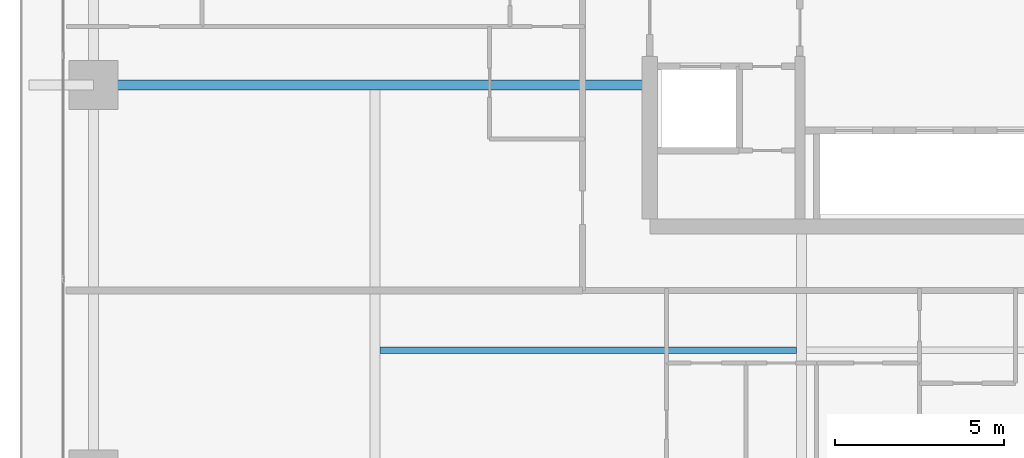
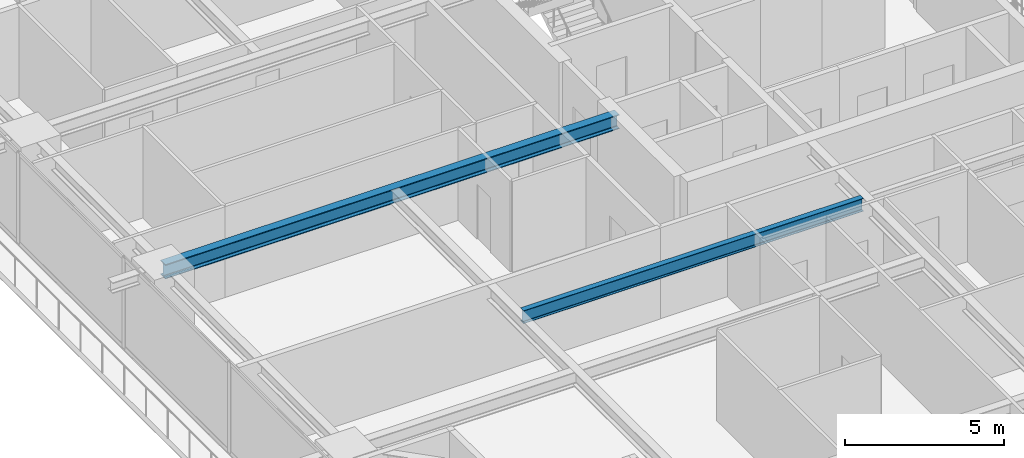
# One storey, part 8 of 39: 2 beams.
"""IFC4 building model written with IfcOpenShell, lengths in metres."""

from ifc_helpers import new_model, si_unit, direction, frame, origin, origin_2d, place, context, subcontext, project, spatial, i_section, extrude, source, transform, mapped, material, material_profile, profile_set, type_object, element, save


model = new_model("IFC4")

# Units and contexts
model_context = context("Model", 3, precision=1e-05, world=origin(), true_north=direction((0.0, 1.0)))
body_context = subcontext(model_context, "Body", "Model", "MODEL_VIEW")
ifc_project = project(units=[si_unit("LENGTHUNIT", "METRE"), si_unit("AREAUNIT", "SQUARE_METRE"), si_unit("VOLUMEUNIT", "CUBIC_METRE"), si_unit("PLANEANGLEUNIT", "RADIAN"), si_unit("MASSUNIT", "GRAM", prefix="KILO")], contexts=[model_context])

# Site, building, storey
site_placement = place(None, origin())
site = spatial("IfcSite", under=ifc_project, at=site_placement, CompositionType="ELEMENT")
building_placement = place(site_placement, origin())
building = spatial("IfcBuilding", under=site, at=building_placement, Name="Serunith Strait Residences", CompositionType="ELEMENT")
storey_placement = place(building_placement, frame((0.0, 0.0, 94.199951171875)))
storey = spatial("IfcBuildingStorey", under=building, at=storey_placement, Name="L23", CompositionType="ELEMENT", Elevation=94.199951171875)

# Beams
ifc_material = material(Name="Steel S355J2", Category="steel")
ifc_material_profile_1 = material_profile(ifc_material, i_section(OverallWidth=0.300048828125, OverallDepth=0.550048828125, WebThickness=0.014892578125, FlangeThickness=0.029052734375, FilletRadius=0.027099609375, at=origin_2d()), Name="HEB 550")
ifc_profile_set_1 = profile_set([ifc_material_profile_1], Name="Steel S355J2")
beam_type_1 = type_object("IfcBeamType", Name="BM-HEB550", PredefinedType="BEAM", material=ifc_profile_set_1)
shared_shape_1 = source(origin(), body_context, "Body", "SweptSolid", [
    extrude(i_section(OverallWidth=0.300048828125, OverallDepth=0.550048828125, WebThickness=0.014892578125, FlangeThickness=0.029052734375, FilletRadius=0.027099609375, at=origin_2d()), origin(), (0.0, 0.0, 1.0), 16.5),
])
beam_1_placement = place(storey_placement, frame((23.39990234375, 21.0, 3.212158203125), z_axis=(-1.0, 0.0, 0.0), x_axis=(0.0, -1.0, 0.0)))
element("IfcBeam", 1, at=beam_1_placement, inside=storey, type_object=beam_type_1, Name="L23 Primary Floor Girder TC-W2", PredefinedType="BEAM", context=body_context, shape_type="MappedRepresentation", body=[
    mapped(shared_shape_1, transform((0.0, 0.0, 0.0), scale=1.0)),
])
ifc_material_profile_2 = material_profile(ifc_material, i_section(OverallWidth=0.199951171875, OverallDepth=0.5, WebThickness=0.01025390625, FlangeThickness=0.01611328125, FilletRadius=0.02099609375, at=origin_2d()), Name="IPE 500")
ifc_profile_set_2 = profile_set([ifc_material_profile_2], Name="Steel S355J2")
beam_type_2 = type_object("IfcBeamType", Name="BM-IPE500", PredefinedType="JOIST", material=ifc_profile_set_2)
shared_shape_2 = source(origin(), body_context, "Body", "SweptSolid", [
    extrude(i_section(OverallWidth=0.199951171875, OverallDepth=0.5, WebThickness=0.01025390625, FlangeThickness=0.01611328125, FilletRadius=0.02099609375, at=origin_2d()), origin(), (0.0, 0.0, 1.0), 12.35009765625),
])
beam_2_placement = place(storey_placement, frame((15.39990234375, 13.125, 3.237060546875), z_axis=(1.0, 0.0, 0.0), x_axis=(0.0, 1.0, 0.0)))
element("IfcBeam", 2, at=beam_2_placement, inside=storey, type_object=beam_type_2, Name="L23 Composite Floor Joist 01", PredefinedType="JOIST", context=body_context, shape_type="MappedRepresentation", body=[
    mapped(shared_shape_2, transform((0.0, 0.0, 0.0), scale=1.0)),
])

save(model, "model.ifc")
